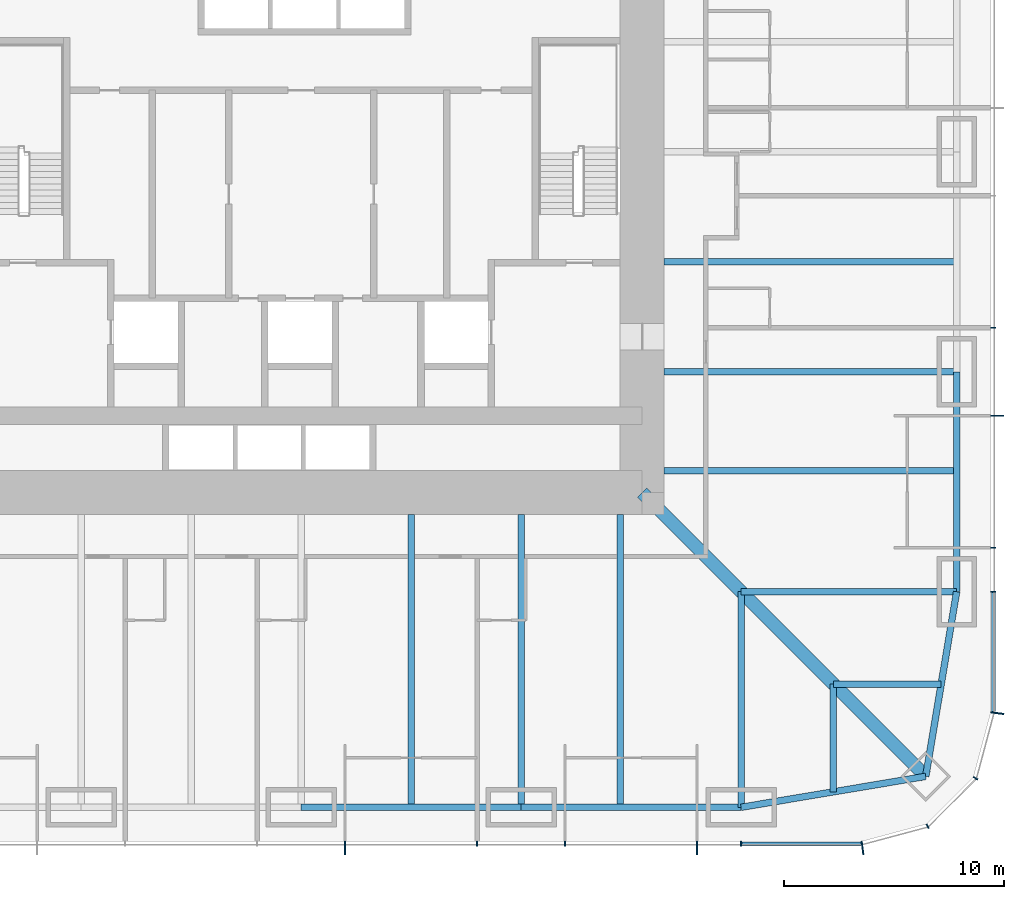
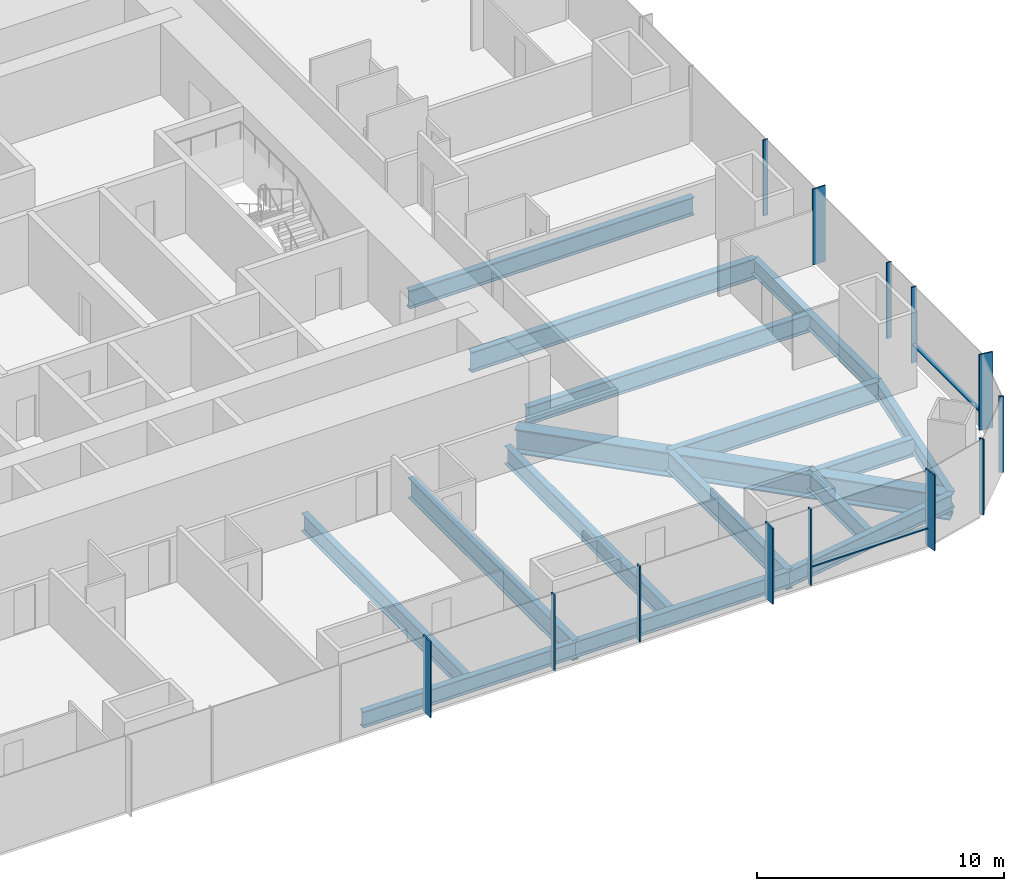
# One storey, part 4 of 16: 16 beams, 15 members, 3 elements without a shape of their own.
"""IFC4 building model written with IfcOpenShell, lengths in metres."""

from ifc_helpers import new_model, si_unit, direction, frame, origin, origin_2d, place, context, subcontext, project, spatial, rectangle, i_section, extrude, material, material_profile, profile_set, type_object, element, aggregate, save


model = new_model("IFC4")

# Units and contexts
model_context = context("Model", 3, precision=1e-05, world=origin(), true_north=direction((0.0, 1.0)))
body_context = subcontext(model_context, "Body", "Model", "MODEL_VIEW")
ifc_project = project(units=[si_unit("LENGTHUNIT", "METRE"), si_unit("AREAUNIT", "SQUARE_METRE"), si_unit("VOLUMEUNIT", "CUBIC_METRE"), si_unit("PLANEANGLEUNIT", "RADIAN"), si_unit("MASSUNIT", "GRAM", prefix="KILO")], contexts=[model_context])

# Site, building, storey
site_placement = place(None, origin())
site = spatial("IfcSite", under=ifc_project, at=site_placement, CompositionType="ELEMENT")
building_placement = place(site_placement, origin())
building = spatial("IfcBuilding", under=site, at=building_placement, Name="Khuree Lantern Residences", CompositionType="ELEMENT")
storey_placement = place(building_placement, frame((0.0, 0.0, 62.25)))
storey = spatial("IfcBuildingStorey", under=building, at=storey_placement, Name="L15", CompositionType="ELEMENT", Elevation=62.25)

# Beams
ifc_material_1 = material(Name="Steel S355", Category="steel")
ifc_material_profile_1 = material_profile(ifc_material_1, i_section(OverallWidth=0.300048828125, OverallDepth=0.889892578125, WebThickness=0.01611328125, FlangeThickness=0.030029296875, FilletRadius=0.030029296875, at=origin_2d()), Name="HE 900 A")
ifc_profile_set_1 = profile_set([ifc_material_profile_1], Name="Steel S355")
beam_type_1 = type_object("IfcBeamType", Name="B-13 SECONDARY BEAM HE 900 A", PredefinedType="BEAM", material=ifc_profile_set_1)
for number, where, z_axis, x_axis, name in (
    (1, (29.800048828125, -5.0, -0.695068359375), (-1.0, 0.0, 0.0), (0.0, -1.0, 0.0), "Secondary beam E4"),
    (2, (29.800048828125, -14.5, -0.695068359375), (-1.0, 0.0, 0.0), (0.0, -1.0, 0.0), "Secondary beam E5"),
):
    element("IfcBeam", number, at=place(storey_placement, frame(where, z_axis=z_axis, x_axis=x_axis)), inside=storey, type_object=beam_type_1, Name=name, PredefinedType="BEAM", context=body_context, shape_type="SweptSolid", body=[
        extrude(i_section(OverallWidth=0.300048828125, OverallDepth=0.889892578125, WebThickness=0.01611328125, FlangeThickness=0.030029296875, FilletRadius=0.030029296875, at=origin_2d()), origin(), (0.0, 0.0, 1.0), 13.300048828125),
    ])
for number, where, z_axis, x_axis, name in (
    (3, (29.09716796875, -24.197021484375, -0.695068359375), (-1.0, 0.0, 0.0), (0.0, -1.0, 0.0), "Secondary beam E6"),
    (4, (24.197021484375, -29.09716796875, -0.695068359375), (0.0, 1.0, 0.0), (-1.0, 0.0, 0.0), "Secondary beam S1"),
):
    element("IfcBeam", number, at=place(storey_placement, frame(where, z_axis=z_axis, x_axis=x_axis)), inside=storey, type_object=beam_type_1, Name=name, PredefinedType="BEAM", context=body_context, shape_type="SweptSolid", body=[
        extrude(i_section(OverallWidth=0.300048828125, OverallDepth=0.889892578125, WebThickness=0.01611328125, FlangeThickness=0.030029296875, FilletRadius=0.030029296875, at=origin_2d()), origin(), (0.0, 0.0, 1.0), 4.900146484375),
    ])
for number, where, z_axis, x_axis, name in (
    (5, (14.5, -29.800048828125, -0.695068359375), (0.0, 1.0, 0.0), (-1.0, 0.0, 0.0), "Secondary beam S2"),
    (6, (5.0, -29.800048828125, -0.695068359375), (0.0, 1.0, 0.0), (-1.0, 0.0, 0.0), "Secondary beam S3"),
):
    element("IfcBeam", number, at=place(storey_placement, frame(where, z_axis=z_axis, x_axis=x_axis)), inside=storey, type_object=beam_type_1, Name=name, PredefinedType="BEAM", context=body_context, shape_type="SweptSolid", body=[
        extrude(i_section(OverallWidth=0.300048828125, OverallDepth=0.889892578125, WebThickness=0.01611328125, FlangeThickness=0.030029296875, FilletRadius=0.030029296875, at=origin_2d()), origin(), (0.0, 0.0, 1.0), 13.300048828125),
    ])
ifc_material_profile_2 = material_profile(ifc_material_1, i_section(OverallWidth=0.300048828125, OverallDepth=0.7900390625, WebThickness=0.014892578125, FlangeThickness=0.028076171875, FilletRadius=0.030029296875, at=origin_2d()), Name="HE 800 A")
ifc_profile_set_2 = profile_set([ifc_material_profile_2], Name="Steel S355")
beam_type_2 = type_object("IfcBeamType", Name="E-13 SPANDREL BEAM HE 800 A", PredefinedType="SPANDREL", material=ifc_profile_set_2)
beam_1_placement = place(storey_placement, frame((29.800048828125, -10.0, -0.64501953125), z_axis=(0.0, -1.0, 0.0), x_axis=(1.0, 0.0, 0.0)))
element("IfcBeam", 7, at=beam_1_placement, inside=storey, type_object=beam_type_2, Name="Spandrel beam E5", PredefinedType="SPANDREL", context=body_context, shape_type="SweptSolid", body=[
    extrude(i_section(OverallWidth=0.300048828125, OverallDepth=0.7900390625, WebThickness=0.014892578125, FlangeThickness=0.028076171875, FilletRadius=0.030029296875, at=origin_2d()), origin(), (0.0, 0.0, 1.0), 10.0),
])
for number, where, z_axis, x_axis, name in (
    (8, (29.800048828125, -20.0, -0.64501953125), (-0.165199022349, -0.986260251158, 0.0), (0.986260251158, -0.165199022349, 0.0), "Spandrel beam E6"),
    (9, (28.39404296875, -28.39404296875, -0.64501953125), (-0.986260251158, -0.165199022349, 0.0), (0.165199022349, -0.986260251158, 0.0), "Spandrel beam S1"),
):
    element("IfcBeam", number, at=place(storey_placement, frame(where, z_axis=z_axis, x_axis=x_axis)), inside=storey, type_object=beam_type_2, Name=name, PredefinedType="SPANDREL", context=body_context, shape_type="SweptSolid", body=[
        extrude(i_section(OverallWidth=0.300048828125, OverallDepth=0.7900390625, WebThickness=0.014892578125, FlangeThickness=0.028076171875, FilletRadius=0.030029296875, at=origin_2d()), origin(), (0.0, 0.0, 1.0), 8.510986328125),
    ])
for number, where, z_axis, x_axis, name in (
    (10, (20.0, -29.800048828125, -0.64501953125), (-1.0, 0.0, 0.0), (0.0, -1.0, 0.0), "Spandrel beam S2"),
    (11, (10.0, -29.800048828125, -0.64501953125), (-1.0, 0.0, 0.0), (0.0, -1.0, 0.0), "Spandrel beam S3"),
):
    element("IfcBeam", number, at=place(storey_placement, frame(where, z_axis=z_axis, x_axis=x_axis)), inside=storey, type_object=beam_type_2, Name=name, PredefinedType="SPANDREL", context=body_context, shape_type="SweptSolid", body=[
        extrude(i_section(OverallWidth=0.300048828125, OverallDepth=0.7900390625, WebThickness=0.014892578125, FlangeThickness=0.028076171875, FilletRadius=0.030029296875, at=origin_2d()), origin(), (0.0, 0.0, 1.0), 10.0),
    ])

# Curtain wall, member
ifc_material_2 = material(Name="Bronze anodised aluminium", Category="aluminium")
curtain_wall_type_1 = type_object("IfcCurtainWallType", Name="CW-T2 TOWER CORNER CURTAIN WALL", PredefinedType="USERDEFINED", material=ifc_material_2)
curtain_wall_1_placement = place(storey_placement, origin())
curtain_wall_1 = element("IfcCurtainWall", 12, at=curtain_wall_1_placement, inside=storey, type_object=curtain_wall_type_1, Name="L15 SOUTH-EAST CORNER CURTAIN WALL", ObjectType="Faceted corner curtain wall", PredefinedType="USERDEFINED")
ifc_material_profile_3 = material_profile(ifc_material_2, rectangle(XDim=0.06494140625, YDim=0.60009765625, at=origin_2d()), Name="F1 65X600")
ifc_profile_set_3 = profile_set([ifc_material_profile_3], Name="Bronze anodised aluminium")
member_type_1 = type_object("IfcMemberType", Name="F1 BRONZE FIN MULLION TOWER 65X600", PredefinedType="MULLION", material=ifc_profile_set_3)
member_1_placement = place(storey_placement, frame((25.519775390625, -31.650146484375, 0.0), z_axis=(0.0, 0.0, 1.0), x_axis=(0.991444852794, 0.130526257387, 0.0)))
member_1 = element("IfcMember", 13, at=member_1_placement, type_object=member_type_1, Name="L15 SOUTH-EAST CORNER FIN MULLION 1", PredefinedType="MULLION", context=body_context, shape_type="SweptSolid", body=[
    extrude(rectangle(XDim=0.06494140625, YDim=0.60009765625, at=origin_2d()), origin(), (0.0, 0.0, 1.0), 3.75),
])

# Curtain wall, members
curtain_wall_type_2 = type_object("IfcCurtainWallType", Name="CW-T1 TOWER FACE CURTAIN WALL", PredefinedType="USERDEFINED", material=ifc_material_2)
curtain_wall_2_placement = place(storey_placement, origin())
curtain_wall_2 = element("IfcCurtainWall", 14, at=curtain_wall_2_placement, inside=storey, type_object=curtain_wall_type_2, Name="L15 EAST FACE CURTAIN WALL", ObjectType="Stick-built curtain wall", PredefinedType="USERDEFINED")
member_2_placement = place(storey_placement, frame((31.650146484375, -25.519775390625, 0.0), z_axis=(0.0, 0.0, 1.0), x_axis=(0.130526257387, 0.991444852794, 0.0)))
member_2 = element("IfcMember", 15, at=member_2_placement, type_object=member_type_1, Name="L15 EAST FACE FIN MULLION 4", PredefinedType="MULLION", context=body_context, shape_type="SweptSolid", body=[
    extrude(rectangle(XDim=0.06494140625, YDim=0.60009765625, at=origin_2d()), origin(), (0.0, 0.0, 1.0), 3.75),
])
member_3_placement = place(storey_placement, frame((31.64990234375, -12.0, 0.0), z_axis=(0.0, 0.0, 1.0), x_axis=(0.0, 1.0, 0.0)))
member_3 = element("IfcMember", 16, at=member_3_placement, type_object=member_type_1, Name="L15 EAST FACE FIN MULLION 7", PredefinedType="MULLION", context=body_context, shape_type="SweptSolid", body=[
    extrude(rectangle(XDim=0.06494140625, YDim=0.60009765625, at=origin_2d()), origin(), (0.0, 0.0, 1.0), 3.75),
])

curtain_wall_3_placement = place(storey_placement, origin())
curtain_wall_3 = element("IfcCurtainWall", 17, at=curtain_wall_3_placement, inside=storey, type_object=curtain_wall_type_2, Name="L15 SOUTH FACE CURTAIN WALL", ObjectType="Stick-built curtain wall", PredefinedType="USERDEFINED")
member_4_placement = place(storey_placement, frame((2.0, -31.64990234375, 0.0), z_axis=(0.0, 0.0, 1.0), x_axis=(1.0, 0.0, 0.0)))
member_4 = element("IfcMember", 18, at=member_4_placement, type_object=member_type_1, Name="L15 SOUTH FACE FIN MULLION 52", PredefinedType="MULLION", context=body_context, shape_type="SweptSolid", body=[
    extrude(rectangle(XDim=0.06494140625, YDim=0.60009765625, at=origin_2d()), origin(), (0.0, 0.0, 1.0), 3.75),
])
member_5_placement = place(storey_placement, frame((18.0, -31.64990234375, 0.0), z_axis=(0.0, 0.0, 1.0), x_axis=(1.0, 0.0, 0.0)))
member_5 = element("IfcMember", 19, at=member_5_placement, type_object=member_type_1, Name="L15 SOUTH FACE FIN MULLION 55", PredefinedType="MULLION", context=body_context, shape_type="SweptSolid", body=[
    extrude(rectangle(XDim=0.06494140625, YDim=0.60009765625, at=origin_2d()), origin(), (0.0, 0.0, 1.0), 3.75),
])

# Beams
ifc_material_profile_4 = material_profile(ifc_material_1, i_section(OverallWidth=0.302001953125, OverallDepth=1.008056640625, WebThickness=0.02099609375, FlangeThickness=0.0400390625, FilletRadius=0.030029296875, at=origin_2d()), Name="HE 1000 M")
ifc_profile_set_4 = profile_set([ifc_material_profile_4], Name="Steel S355")
beam_type_3 = type_object("IfcBeamType", Name="G-13 GIRDER HE 1000 M", PredefinedType="BEAM", material=ifc_profile_set_4)
beam_2_placement = place(storey_placement, frame((29.800048828125, -10.0, -0.75390625), z_axis=(-1.0, 0.0, 0.0), x_axis=(0.0, -1.0, 0.0)))
element("IfcBeam", 20, at=beam_2_placement, inside=storey, type_object=beam_type_3, Name="Girder E4", PredefinedType="BEAM", context=body_context, shape_type="SweptSolid", body=[
    extrude(i_section(OverallWidth=0.302001953125, OverallDepth=1.008056640625, WebThickness=0.02099609375, FlangeThickness=0.0400390625, FilletRadius=0.030029296875, at=origin_2d()), origin(), (0.0, 0.0, 1.0), 13.300048828125),
])
for number, where, z_axis, x_axis, name in (
    (21, (29.800048828125, -20.0, -0.75390625), (-1.0, 0.0, 0.0), (0.0, -1.0, 0.0), "Girder E5"),
    (22, (20.0, -29.800048828125, -0.75390625), (0.0, 1.0, 0.0), (-1.0, 0.0, 0.0), "Girder S1"),
):
    element("IfcBeam", number, at=place(storey_placement, frame(where, z_axis=z_axis, x_axis=x_axis)), inside=storey, type_object=beam_type_3, Name=name, PredefinedType="BEAM", context=body_context, shape_type="SweptSolid", body=[
        extrude(i_section(OverallWidth=0.302001953125, OverallDepth=1.008056640625, WebThickness=0.02099609375, FlangeThickness=0.0400390625, FilletRadius=0.030029296875, at=origin_2d()), origin(), (0.0, 0.0, 1.0), 9.800048828125),
    ])
beam_3_placement = place(storey_placement, frame((10.0, -29.800048828125, -0.75390625), z_axis=(0.0, 1.0, 0.0), x_axis=(-1.0, 0.0, 0.0)))
element("IfcBeam", 23, at=beam_3_placement, inside=storey, type_object=beam_type_3, Name="Girder S2", PredefinedType="BEAM", context=body_context, shape_type="SweptSolid", body=[
    extrude(i_section(OverallWidth=0.302001953125, OverallDepth=1.008056640625, WebThickness=0.02099609375, FlangeThickness=0.0400390625, FilletRadius=0.030029296875, at=origin_2d()), origin(), (0.0, 0.0, 1.0), 13.300048828125),
])
ifc_material_profile_5 = material_profile(ifc_material_1, i_section(OverallWidth=0.60009765625, OverallDepth=1.199951171875, WebThickness=0.030029296875, FlangeThickness=0.06005859375, at=origin_2d()), Name="WELDED I 1200X600X30X60")
ifc_profile_set_5 = profile_set([ifc_material_profile_5], Name="Steel S355")
beam_type_4 = type_object("IfcBeamType", Name="GD-13 CORNER GIRDER WELDED I 1200X600X30X60", PredefinedType="BEAM", material=ifc_profile_set_5)
beam_4_placement = place(storey_placement, frame((28.39404296875, -28.39404296875, -0.85009765625), z_axis=(-0.707106781187, 0.707106781187, 0.0), x_axis=(-0.707106781187, -0.707106781187, 0.0)))
element("IfcBeam", 24, at=beam_4_placement, inside=storey, type_object=beam_type_4, Name="Corner girder SE", PredefinedType="BEAM", context=body_context, shape_type="SweptSolid", body=[
    extrude(i_section(OverallWidth=0.60009765625, OverallDepth=1.199951171875, WebThickness=0.030029296875, FlangeThickness=0.06005859375, at=origin_2d()), origin(), (0.0, 0.0, 1.0), 18.23486328125),
])

# Member
ifc_material_profile_6 = material_profile(ifc_material_2, rectangle(XDim=0.06494140625, YDim=0.219970703125, at=origin_2d()), Name="M1 65X220")
ifc_profile_set_6 = profile_set([ifc_material_profile_6], Name="Bronze anodised aluminium")
member_type_2 = type_object("IfcMemberType", Name="M1 BRONZE MULLION TOWER 65X220", PredefinedType="MULLION", material=ifc_profile_set_6)
member_6_placement = place(storey_placement, frame((28.47998046875, -30.66162109375, 0.0), z_axis=(0.0, 0.0, 1.0), x_axis=(0.86602537092, 0.500000056923, 0.0)))
member_6 = element("IfcMember", 25, at=member_6_placement, type_object=member_type_2, Name="L15 SOUTH-EAST CORNER MULLION 2", PredefinedType="MULLION", context=body_context, shape_type="SweptSolid", body=[
    extrude(rectangle(XDim=0.06494140625, YDim=0.219970703125, at=origin_2d()), origin(), (0.0, 0.0, 1.0), 3.75),
])

member_7_placement = place(storey_placement, frame((30.66162109375, -28.47998046875, 0.0), z_axis=(0.0, 0.0, 1.0), x_axis=(0.500000056923, 0.86602537092, 0.0)))
member_7 = element("IfcMember", 26, at=member_7_placement, type_object=member_type_2, Name="L15 SOUTH-EAST CORNER MULLION 3", PredefinedType="MULLION", context=body_context, shape_type="SweptSolid", body=[
    extrude(rectangle(XDim=0.06494140625, YDim=0.219970703125, at=origin_2d()), origin(), (0.0, 0.0, 1.0), 3.75),
])

aggregate(curtain_wall_1, [member_1, member_6, member_7])

member_8_placement = place(storey_placement, frame((31.4599609375, -20.0, 0.0), z_axis=(0.0, 0.0, 1.0), x_axis=(0.0, 1.0, 0.0)))
member_8 = element("IfcMember", 27, at=member_8_placement, type_object=member_type_2, Name="L15 EAST FACE MULLION 5", PredefinedType="MULLION", context=body_context, shape_type="SweptSolid", body=[
    extrude(rectangle(XDim=0.06494140625, YDim=0.219970703125, at=origin_2d()), origin(), (0.0, 0.0, 1.0), 3.75),
])

member_9_placement = place(storey_placement, frame((31.4599609375, -18.0, 0.0), z_axis=(0.0, 0.0, 1.0), x_axis=(0.0, 1.0, 0.0)))
member_9 = element("IfcMember", 28, at=member_9_placement, type_object=member_type_2, Name="L15 EAST FACE MULLION 6", PredefinedType="MULLION", context=body_context, shape_type="SweptSolid", body=[
    extrude(rectangle(XDim=0.06494140625, YDim=0.219970703125, at=origin_2d()), origin(), (0.0, 0.0, 1.0), 3.75),
])

member_10_placement = place(storey_placement, frame((31.4599609375, -8.0, 0.0), z_axis=(0.0, 0.0, 1.0), x_axis=(0.0, 1.0, 0.0)))
member_10 = element("IfcMember", 29, at=member_10_placement, type_object=member_type_2, Name="L15 EAST FACE MULLION 8", PredefinedType="MULLION", context=body_context, shape_type="SweptSolid", body=[
    extrude(rectangle(XDim=0.06494140625, YDim=0.219970703125, at=origin_2d()), origin(), (0.0, 0.0, 1.0), 3.75),
])

member_11_placement = place(storey_placement, frame((8.0, -31.4599609375, 0.0), z_axis=(0.0, 0.0, 1.0), x_axis=(1.0, 0.0, 0.0)))
member_11 = element("IfcMember", 30, at=member_11_placement, type_object=member_type_2, Name="L15 SOUTH FACE MULLION 53", PredefinedType="MULLION", context=body_context, shape_type="SweptSolid", body=[
    extrude(rectangle(XDim=0.06494140625, YDim=0.219970703125, at=origin_2d()), origin(), (0.0, 0.0, 1.0), 3.75),
])

member_12_placement = place(storey_placement, frame((12.0, -31.4599609375, 0.0), z_axis=(0.0, 0.0, 1.0), x_axis=(1.0, 0.0, 0.0)))
member_12 = element("IfcMember", 31, at=member_12_placement, type_object=member_type_2, Name="L15 SOUTH FACE MULLION 54", PredefinedType="MULLION", context=body_context, shape_type="SweptSolid", body=[
    extrude(rectangle(XDim=0.06494140625, YDim=0.219970703125, at=origin_2d()), origin(), (0.0, 0.0, 1.0), 3.75),
])

member_13_placement = place(storey_placement, frame((20.0, -31.4599609375, 0.0), z_axis=(0.0, 0.0, 1.0), x_axis=(1.0, 0.0, 0.0)))
member_13 = element("IfcMember", 32, at=member_13_placement, type_object=member_type_2, Name="L15 SOUTH FACE MULLION 56", PredefinedType="MULLION", context=body_context, shape_type="SweptSolid", body=[
    extrude(rectangle(XDim=0.06494140625, YDim=0.219970703125, at=origin_2d()), origin(), (0.0, 0.0, 1.0), 3.75),
])

ifc_material_profile_7 = material_profile(ifc_material_2, rectangle(XDim=0.179931640625, YDim=0.06494140625, at=origin_2d()), Name="T1 180X65")
ifc_profile_set_7 = profile_set([ifc_material_profile_7], Name="Bronze anodised aluminium")
member_type_3 = type_object("IfcMemberType", Name="TRANSOM T1 TOWER 180X65", PredefinedType="USERDEFINED", material=ifc_profile_set_7)
member_14_placement = place(storey_placement, frame((31.469970703125, -25.451416015625, 0.89990234375), z_axis=(0.0, 1.0, 0.0), x_axis=(-1.0, 0.0, 0.0)))
member_14 = element("IfcMember", 33, at=member_14_placement, type_object=member_type_3, Name="L15 EAST FACE TRANSOM 4.1", ObjectType="Transom", PredefinedType="USERDEFINED", context=body_context, shape_type="SweptSolid", body=[
    extrude(rectangle(XDim=0.179931640625, YDim=0.06494140625, at=origin_2d()), origin(), (0.0, 0.0, 1.0), 5.4189453125),
])

aggregate(curtain_wall_2, [member_2, member_8, member_9, member_3, member_10, member_14])

member_15_placement = place(storey_placement, frame((20.032470703125, -31.469970703125, 0.89990234375), z_axis=(1.0, 0.0, 0.0), x_axis=(0.0, 1.0, 0.0)))
member_15 = element("IfcMember", 34, at=member_15_placement, type_object=member_type_3, Name="L15 SOUTH FACE TRANSOM 56.1", ObjectType="Transom", PredefinedType="USERDEFINED", context=body_context, shape_type="SweptSolid", body=[
    extrude(rectangle(XDim=0.179931640625, YDim=0.06494140625, at=origin_2d()), origin(), (0.0, 0.0, 1.0), 5.4189453125),
])

aggregate(curtain_wall_3, [member_4, member_11, member_12, member_5, member_13, member_15])

save(model, "model.ifc")
